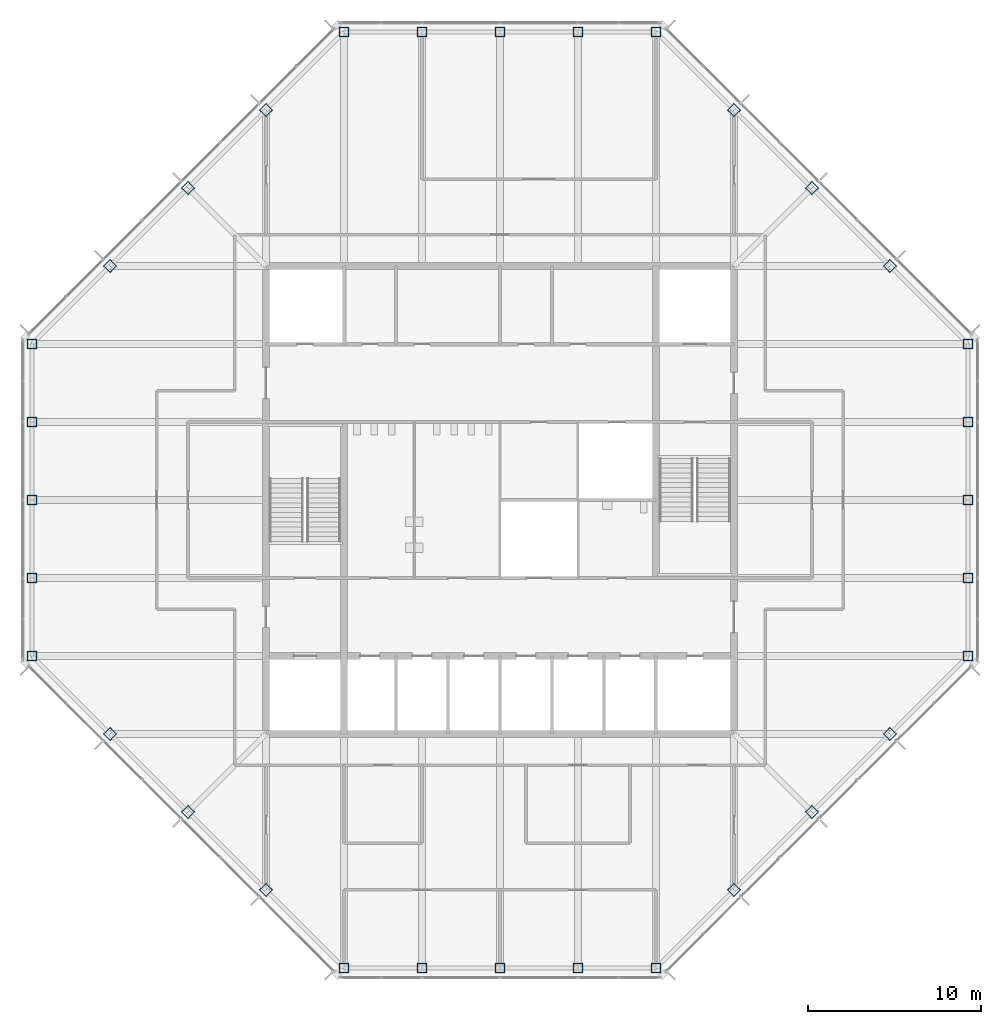
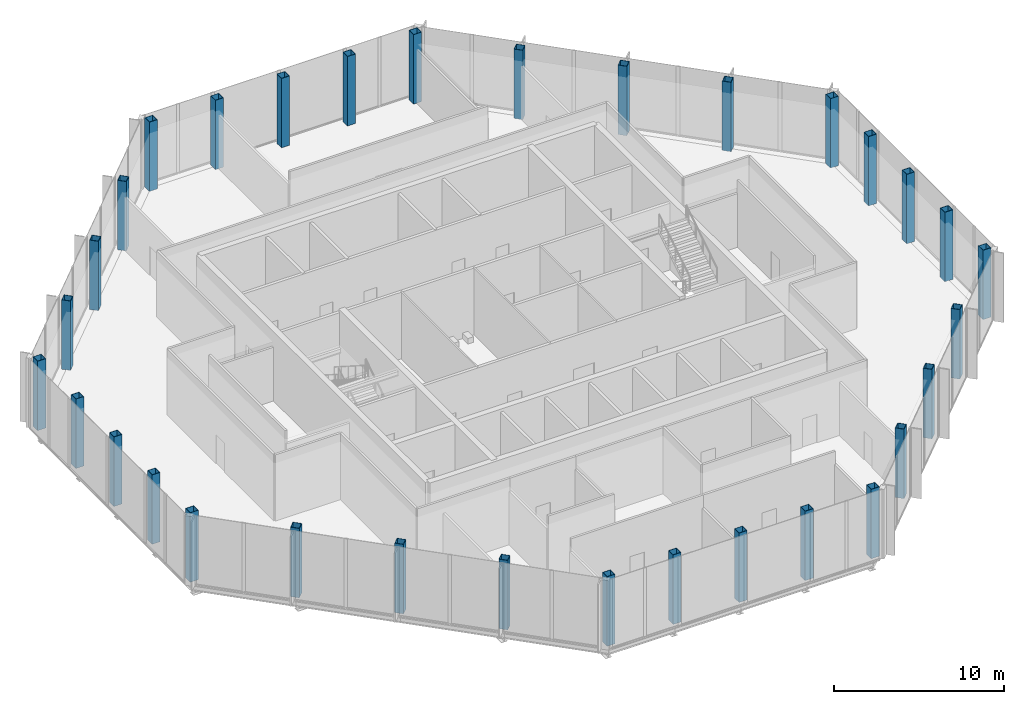
# One storey, part 1 of 11: 32 columns.
"""IFC4 building model written with IfcOpenShell, lengths in metres."""

import ifcopenshell
import ifcopenshell.guid

model = None  # the IFC model being written
_history = None  # IfcOwnerHistory: only IFC2X3 demands one
_inside = {}  # id of a spatial element -> (the spatial element, [elements in it])
_under = {}  # id of a project, library or spatial element -> (it, [spatial elements below it])
_declared = {}  # id of a project -> (the project, [libraries it declares])
_typed = {}  # id of a type object -> (the type object, [elements of that type])
_made_of = {}  # id of a material, layer set ... -> (it, [elements and type objects made of it])


def new_model(schema):
    """Start an empty IFC model of exactly this schema.

    Asked for "IFC4X3", IfcOpenShell would pick the latest addendum, in which some entities
    have other attributes; the version numbers below select the first issue.
    IFC2X3 requires an IfcOwnerHistory on every rooted entity: one is made here for all.
    """
    global model, _history
    if schema == "IFC4X3":
        model = ifcopenshell.file(schema_version=(4, 3, 0, 0))
    else:
        model = ifcopenshell.file(schema=schema)
    _inside.clear()
    _under.clear()
    _declared.clear()
    _typed.clear()
    _made_of.clear()
    _history = None
    if model.schema == "IFC2X3":
        org = make("IfcOrganization", Name="unknown")
        user = make(
            "IfcPersonAndOrganization",
            ThePerson=make("IfcPerson", FamilyName="unknown"),
            TheOrganization=org,
        )
        app = make(
            "IfcApplication",
            ApplicationDeveloper=org,
            Version="unknown",
            ApplicationFullName="unknown",
            ApplicationIdentifier="unknown",
        )
        _history = make(
            "IfcOwnerHistory",
            OwningUser=user,
            OwningApplication=app,
            ChangeAction="ADDED",
            CreationDate=0,
        )
    return model


def make(cls, **values):
    """One entity of the class cls with the attributes given. An attribute that is None is left unset."""
    return model.create_entity(
        cls, **{name: value for name, value in values.items() if value is not None}
    )


def rooted(cls, **values):
    """An entity with a GlobalId (a new one), such as an element, a storey or a relation."""
    return make(cls, GlobalId=ifcopenshell.guid.new(), OwnerHistory=_history, **values)


def si_unit(unit_type, name, prefix=None):
    """IfcSIUnit, for example si_unit("LENGTHUNIT", "METRE", prefix="MILLI")."""
    return make("IfcSIUnit", UnitType=unit_type, Prefix=prefix, Name=name)


def assignment(units):
    """IfcUnitAssignment: the units of a project."""
    return None if units is None else make("IfcUnitAssignment", Units=units)


def point(xyz):
    """IfcCartesianPoint."""
    return None if xyz is None else make("IfcCartesianPoint", Coordinates=xyz)


def direction(xyz):
    """IfcDirection."""
    return None if xyz is None else make("IfcDirection", DirectionRatios=xyz)


def frame(location, z_axis=None, x_axis=None):
    """IfcAxis2Placement3D, a coordinate frame: its origin and axes. An axis left out is left unset."""
    return make(
        "IfcAxis2Placement3D",
        Location=point(location),
        Axis=direction(z_axis),
        RefDirection=direction(x_axis),
    )


def frame_2d(location, x_axis=None):
    """IfcAxis2Placement2D, a coordinate frame in the plane: its origin and x axis."""
    return make(
        "IfcAxis2Placement2D", Location=point(location), RefDirection=direction(x_axis)
    )


def origin():
    """The frame at (0, 0, 0) with its axes left unset."""
    return frame((0.0, 0.0, 0.0))


def origin_2d():
    """The frame at (0, 0) in the plane with its x axis left unset."""
    return frame_2d((0.0, 0.0))


def place(relative_to, where):
    """IfcLocalPlacement: puts the frame where relative to a parent placement (None: the world)."""
    return make(
        "IfcLocalPlacement", PlacementRelTo=relative_to, RelativePlacement=where
    )


def context(
    kind, dimensions, precision=None, world=None, true_north=None, identifier=None
):
    """IfcGeometricRepresentationContext, for example the 3D "Model" context."""
    return make(
        "IfcGeometricRepresentationContext",
        ContextIdentifier=identifier,
        ContextType=kind,
        CoordinateSpaceDimension=dimensions,
        Precision=precision,
        WorldCoordinateSystem=world,
        TrueNorth=true_north,
    )


def subcontext(parent, identifier, kind, view, scale=None):
    """IfcGeometricRepresentationSubContext, for example "Body" below "Model"."""
    return make(
        "IfcGeometricRepresentationSubContext",
        ContextIdentifier=identifier,
        ContextType=kind,
        ParentContext=parent,
        TargetScale=scale,
        TargetView=view,
    )


def project(units=None, contexts=None):
    """IfcProject with its units and contexts."""
    return rooted(
        "IfcProject",
        Name="project",
        RepresentationContexts=contexts,
        UnitsInContext=assignment(units),
    )


def spatial(cls, under=None, at=None, **own):
    """A site, building, storey or space (cls), placed at a placement, below another one or the project."""
    s = rooted(cls, ObjectPlacement=at, **own)
    if under is not None:
        _under.setdefault(under.id(), (under, []))[1].append(s)
    return s


def profile(cls, at=None, kind="AREA", **sizes):
    """A parametric profile (cls). Its sizes go by their IFC names, for example OverallWidth=200.0."""
    return make(cls, ProfileType=kind, Position=at, **sizes)


def hollow_rectangle(**sizes):
    """IfcRectangleHollowProfileDef."""
    return profile("IfcRectangleHollowProfileDef", **sizes)


def extrude(swept, where, along, depth):
    """IfcExtrudedAreaSolid: the profile swept, set in the frame where, extruded along a direction by depth."""
    return make(
        "IfcExtrudedAreaSolid",
        SweptArea=swept,
        Position=where,
        ExtrudedDirection=direction(along),
        Depth=depth,
    )


def shape(context_of_items, identifier, shape_type, items):
    """IfcShapeRepresentation: the items that make up one representation, for example the "Body"."""
    return make(
        "IfcShapeRepresentation",
        ContextOfItems=context_of_items,
        RepresentationIdentifier=identifier,
        RepresentationType=shape_type,
        Items=items,
    )


def material(Name=None, Category=None):
    """IfcMaterial."""
    return make("IfcMaterial", Name=Name, Category=Category)


def material_profile(
    of_material, cross_section, Name=None, Category=None, Priority=None
):
    """IfcMaterialProfile: a cross section and its material."""
    return make(
        "IfcMaterialProfile",
        Name=Name,
        Material=of_material,
        Profile=cross_section,
        Priority=Priority,
        Category=Category,
    )


def profile_set(profiles, Name=None, composite=None):
    """IfcMaterialProfileSet."""
    return make(
        "IfcMaterialProfileSet",
        Name=Name,
        MaterialProfiles=profiles,
        CompositeProfile=composite,
    )


def made_of(thing, what):
    """Note that an element or type object is made of a material, layer set ...; save() writes the relation."""
    if what is not None:
        _made_of.setdefault(what.id(), (what, []))[1].append(thing)
    return thing


def type_object(cls, material=None, **own):
    """A type object (cls), such as IfcWallType, which elements share."""
    return made_of(rooted(cls, **own), material)


def element(
    cls,
    number,
    at=None,
    inside=None,
    cuts=None,
    type_object=None,
    material=None,
    context=None,
    identifier="Body",
    shape_type=None,
    held_by="IfcProductDefinitionShape",
    body=None,
    shapes=None,
    **own,
):
    """One element of the class cls, such as IfcWall. Its Tag is "e" and its number.

    at: its placement. inside: the storey or other place that contains it. cuts: it is an
    opening in that element (IfcRelVoidsElement). A single representation is given by context,
    identifier, shape_type and body (its items); several are given by shapes. held_by: the class
    of the entity that holds the representations. save() writes the other relations.
    """
    e = rooted(cls, Tag="e%d" % number, ObjectPlacement=at, **own)
    if body is not None:
        shapes = [shape(context, identifier, shape_type, body)]
    if shapes is not None:
        e.Representation = make(held_by, Representations=shapes)
    if inside is not None:
        _inside.setdefault(inside.id(), (inside, []))[1].append(e)
    if cuts is not None:
        rooted(
            "IfcRelVoidsElement", RelatingBuildingElement=cuts, RelatedOpeningElement=e
        )
    if type_object is not None:
        _typed.setdefault(type_object.id(), (type_object, []))[1].append(e)
    return made_of(e, material)


def aggregate(whole, parts):
    """IfcRelAggregates: a whole, such as a stair, and the parts it consists of."""
    return rooted("IfcRelAggregates", RelatingObject=whole, RelatedObjects=parts)


def save(model, path):
    """Write the relations noted so far, then the file.

    IfcRelAggregates (storeys below a building ...), IfcRelContainedInSpatialStructure (elements
    in a storey), IfcRelDefinesByType, IfcRelAssociatesMaterial and IfcRelDeclares: one each for
    every whole, place, type object, material and project.
    """
    for whole, parts in _under.values():
        aggregate(whole, parts)
    for where, things in _inside.values():
        rooted(
            "IfcRelContainedInSpatialStructure",
            RelatedElements=things,
            RelatingStructure=where,
        )
    for kind, things in _typed.values():
        rooted("IfcRelDefinesByType", RelatedObjects=things, RelatingType=kind)
    for what, things in _made_of.values():
        rooted("IfcRelAssociatesMaterial", RelatedObjects=things, RelatingMaterial=what)
    for by, libraries in _declared.values():
        rooted("IfcRelDeclares", RelatingContext=by, RelatedDefinitions=libraries)
    model.write(path)


model = new_model("IFC4")

# Units and contexts
model_context = context("Model", 3, precision=1e-05, world=origin(), true_north=direction((0.0, 1.0)))
body_context = subcontext(model_context, "Body", "Model", "MODEL_VIEW")
ifc_project = project(units=[si_unit("LENGTHUNIT", "METRE"), si_unit("AREAUNIT", "SQUARE_METRE"), si_unit("VOLUMEUNIT", "CUBIC_METRE"), si_unit("PLANEANGLEUNIT", "RADIAN"), si_unit("MASSUNIT", "GRAM", prefix="KILO")], contexts=[model_context])

# Site, building, storey
site_placement = place(None, origin())
site = spatial("IfcSite", under=ifc_project, at=site_placement, CompositionType="ELEMENT")
building_placement = place(site_placement, origin())
building = spatial("IfcBuilding", under=site, at=building_placement, Name="Corais Broadcast Tower", CompositionType="ELEMENT")
storey_placement = place(building_placement, frame((0.0, 0.0, 315.10009765625)))
storey = spatial("IfcBuildingStorey", under=building, at=storey_placement, Name="L74", CompositionType="ELEMENT", Elevation=315.10009765625)

# Columns
ifc_material = material(Name="Steel ASTM A572 Grade 50", Category="steel")
ifc_material_profile = material_profile(ifc_material, hollow_rectangle(XDim=0.550048828125, YDim=0.550048828125, WallThickness=0.02490234375, at=origin_2d()), Name="BOX 550x550x25")
ifc_profile_set = profile_set([ifc_material_profile], Name="Steel ASTM A572 Grade 50")
column_type = type_object("IfcColumnType", Name="Column BOX 550x550x25", PredefinedType="COLUMN", material=ifc_profile_set)
for number, where, z_axis, x_axis, name in (
    (1, (18.0, 0.0, 0.0), (0.0, 0.0, 1.0), (1.0, 0.0, 0.0), "C8 A/7"),
    (2, (22.5, 0.0, 0.0), (0.0, 0.0, 1.0), (1.0, 0.0, 0.0), "C8 A/8"),
    (3, (27.0, 0.0, 0.0), (0.0, 0.0, 1.0), (1.0, 0.0, 0.0), "C8 A/9"),
    (4, (31.5, 0.0, 0.0), (0.0, 0.0, 1.0), (1.0, 0.0, 0.0), "C8 A/10"),
    (5, (36.0, 0.0, 0.0), (0.0, 0.0, 1.0), (1.0, 0.0, 0.0), "C8 A/11"),
    (6, (54.0, 18.0, 0.0), (0.0, 0.0, 1.0), (1.0, 0.0, 0.0), "C8 E/15"),
    (7, (54.0, 22.5, 0.0), (0.0, 0.0, 1.0), (1.0, 0.0, 0.0), "C8 F/15"),
    (8, (54.0, 27.0, 0.0), (0.0, 0.0, 1.0), (1.0, 0.0, 0.0), "C8 G/15"),
    (9, (54.0, 31.5, 0.0), (0.0, 0.0, 1.0), (1.0, 0.0, 0.0), "C8 H/15"),
    (10, (54.0, 36.0, 0.0), (0.0, 0.0, 1.0), (1.0, 0.0, 0.0), "C8 J/15"),
    (11, (36.0, 54.0, 0.0), (0.0, 0.0, 1.0), (1.0, 0.0, 0.0), "C8 N/11"),
    (12, (31.5, 54.0, 0.0), (0.0, 0.0, 1.0), (1.0, 0.0, 0.0), "C8 N/10"),
    (13, (27.0, 54.0, 0.0), (0.0, 0.0, 1.0), (1.0, 0.0, 0.0), "C8 N/9"),
    (14, (22.5, 54.0, 0.0), (0.0, 0.0, 1.0), (1.0, 0.0, 0.0), "C8 N/8"),
    (15, (18.0, 54.0, 0.0), (0.0, 0.0, 1.0), (1.0, 0.0, 0.0), "C8 N/7"),
    (16, (0.0, 36.0, 0.0), (0.0, 0.0, 1.0), (1.0, 0.0, 0.0), "C8 J/3"),
    (17, (0.0, 31.5, 0.0), (0.0, 0.0, 1.0), (1.0, 0.0, 0.0), "C8 H/3"),
    (18, (0.0, 27.0, 0.0), (0.0, 0.0, 1.0), (1.0, 0.0, 0.0), "C8 G/3"),
    (19, (0.0, 22.5, 0.0), (0.0, 0.0, 1.0), (1.0, 0.0, 0.0), "C8 F/3"),
    (20, (0.0, 18.0, 0.0), (0.0, 0.0, 1.0), (1.0, 0.0, 0.0), "C8 E/3"),
    (21, (13.5, 4.5, 0.0), (0.0, 0.0, 1.0), (0.707106781187, 0.707106781187, 0.0), "C8 B/6"),
    (22, (9.0, 9.0, 0.0), (0.0, 0.0, 1.0), (0.707106781187, 0.707106781187, 0.0), "C8 C/5"),
    (23, (4.5, 13.5, 0.0), (0.0, 0.0, 1.0), (0.707106781187, 0.707106781187, 0.0), "C8 D/4"),
    (24, (40.5, 4.5, 0.0), (0.0, 0.0, 1.0), (0.707106781187, 0.707106781187, 0.0), "C8 B/12"),
    (25, (45.0, 9.0, 0.0), (0.0, 0.0, 1.0), (0.707106781187, 0.707106781187, 0.0), "C8 C/13"),
    (26, (49.5, 13.5, 0.0), (0.0, 0.0, 1.0), (0.707106781187, 0.707106781187, 0.0), "C8 D/14"),
    (27, (49.5, 40.5, 0.0), (0.0, 0.0, 1.0), (0.707106781187, 0.707106781187, 0.0), "C8 K/14"),
    (28, (45.0, 45.0, 0.0), (0.0, 0.0, 1.0), (0.707106781187, 0.707106781187, 0.0), "C8 L/13"),
    (29, (40.5, 49.5, 0.0), (0.0, 0.0, 1.0), (0.707106781187, 0.707106781187, 0.0), "C8 M/12"),
    (30, (4.5, 40.5, 0.0), (0.0, 0.0, 1.0), (0.707106781187, 0.707106781187, 0.0), "C8 K/4"),
    (31, (9.0, 45.0, 0.0), (0.0, 0.0, 1.0), (0.707106781187, 0.707106781187, 0.0), "C8 L/5"),
    (32, (13.5, 49.5, 0.0), (0.0, 0.0, 1.0), (0.707106781187, 0.707106781187, 0.0), "C8 M/6"),
):
    element("IfcColumn", number, at=place(storey_placement, frame(where, z_axis=z_axis, x_axis=x_axis)), inside=storey, type_object=column_type, Name=name, PredefinedType="COLUMN", context=body_context, shape_type="SweptSolid", body=[
        extrude(hollow_rectangle(XDim=0.550048828125, YDim=0.550048828125, WallThickness=0.02490234375, at=origin_2d()), origin(), (0.0, 0.0, 1.0), 5.0),
    ])

save(model, "model.ifc")
